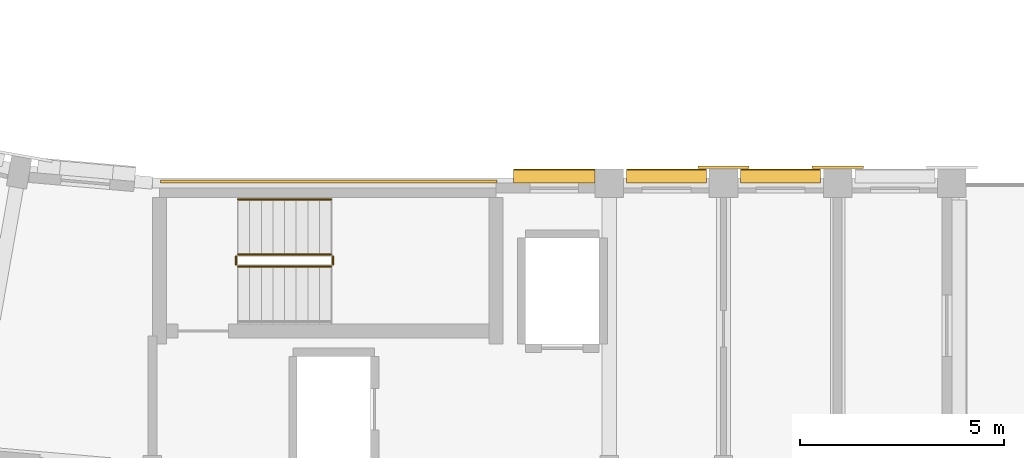
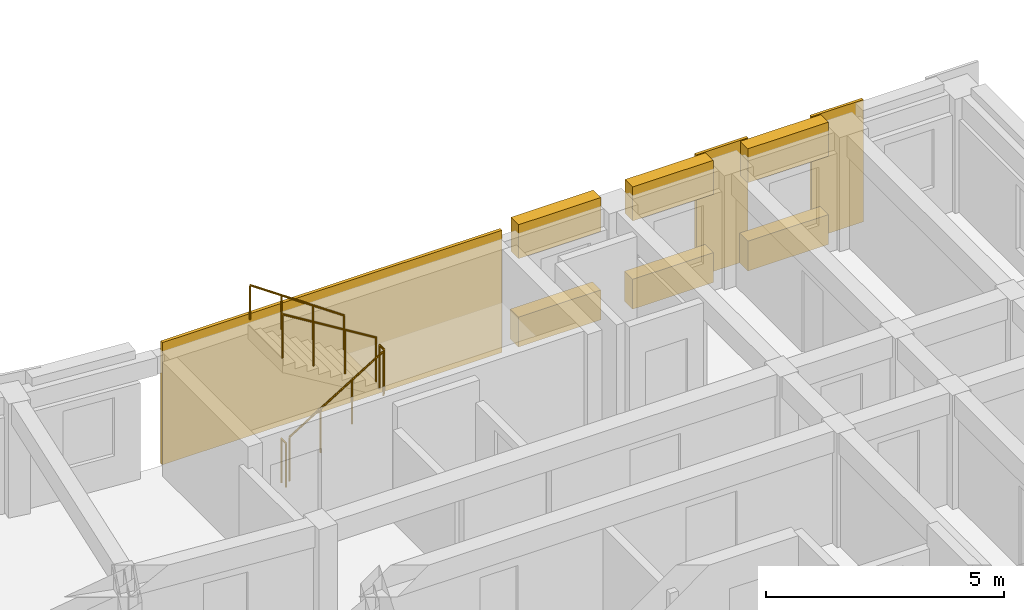
# One storey, part 41 of 54: 9 coverings, 5 railings.
"""IFC4 building model written with IfcOpenShell, lengths in metres."""

import ifcopenshell
import ifcopenshell.guid

model = None  # the IFC model being written
_history = None  # IfcOwnerHistory: only IFC2X3 demands one
_inside = {}  # id of a spatial element -> (the spatial element, [elements in it])
_under = {}  # id of a project, library or spatial element -> (it, [spatial elements below it])
_declared = {}  # id of a project -> (the project, [libraries it declares])
_typed = {}  # id of a type object -> (the type object, [elements of that type])
_made_of = {}  # id of a material, layer set ... -> (it, [elements and type objects made of it])


def new_model(schema):
    """Start an empty IFC model of exactly this schema.

    Asked for "IFC4X3", IfcOpenShell would pick the latest addendum, in which some entities
    have other attributes; the version numbers below select the first issue.
    IFC2X3 requires an IfcOwnerHistory on every rooted entity: one is made here for all.
    """
    global model, _history
    if schema == "IFC4X3":
        model = ifcopenshell.file(schema_version=(4, 3, 0, 0))
    else:
        model = ifcopenshell.file(schema=schema)
    _inside.clear()
    _under.clear()
    _declared.clear()
    _typed.clear()
    _made_of.clear()
    _history = None
    if model.schema == "IFC2X3":
        org = make("IfcOrganization", Name="unknown")
        user = make(
            "IfcPersonAndOrganization",
            ThePerson=make("IfcPerson", FamilyName="unknown"),
            TheOrganization=org,
        )
        app = make(
            "IfcApplication",
            ApplicationDeveloper=org,
            Version="unknown",
            ApplicationFullName="unknown",
            ApplicationIdentifier="unknown",
        )
        _history = make(
            "IfcOwnerHistory",
            OwningUser=user,
            OwningApplication=app,
            ChangeAction="ADDED",
            CreationDate=0,
        )
    return model


def make(cls, **values):
    """One entity of the class cls with the attributes given. An attribute that is None is left unset."""
    return model.create_entity(
        cls, **{name: value for name, value in values.items() if value is not None}
    )


def rooted(cls, **values):
    """An entity with a GlobalId (a new one), such as an element, a storey or a relation."""
    return make(cls, GlobalId=ifcopenshell.guid.new(), OwnerHistory=_history, **values)


def si_unit(unit_type, name, prefix=None):
    """IfcSIUnit, for example si_unit("LENGTHUNIT", "METRE", prefix="MILLI")."""
    return make("IfcSIUnit", UnitType=unit_type, Prefix=prefix, Name=name)


def assignment(units):
    """IfcUnitAssignment: the units of a project."""
    return None if units is None else make("IfcUnitAssignment", Units=units)


def point(xyz):
    """IfcCartesianPoint."""
    return None if xyz is None else make("IfcCartesianPoint", Coordinates=xyz)


def direction(xyz):
    """IfcDirection."""
    return None if xyz is None else make("IfcDirection", DirectionRatios=xyz)


def frame(location, z_axis=None, x_axis=None):
    """IfcAxis2Placement3D, a coordinate frame: its origin and axes. An axis left out is left unset."""
    return make(
        "IfcAxis2Placement3D",
        Location=point(location),
        Axis=direction(z_axis),
        RefDirection=direction(x_axis),
    )


def frame_2d(location, x_axis=None):
    """IfcAxis2Placement2D, a coordinate frame in the plane: its origin and x axis."""
    return make(
        "IfcAxis2Placement2D", Location=point(location), RefDirection=direction(x_axis)
    )


def origin():
    """The frame at (0, 0, 0) with its axes left unset."""
    return frame((0.0, 0.0, 0.0))


def origin_2d():
    """The frame at (0, 0) in the plane with its x axis left unset."""
    return frame_2d((0.0, 0.0))


def place(relative_to, where):
    """IfcLocalPlacement: puts the frame where relative to a parent placement (None: the world)."""
    return make(
        "IfcLocalPlacement", PlacementRelTo=relative_to, RelativePlacement=where
    )


def context(
    kind, dimensions, precision=None, world=None, true_north=None, identifier=None
):
    """IfcGeometricRepresentationContext, for example the 3D "Model" context."""
    return make(
        "IfcGeometricRepresentationContext",
        ContextIdentifier=identifier,
        ContextType=kind,
        CoordinateSpaceDimension=dimensions,
        Precision=precision,
        WorldCoordinateSystem=world,
        TrueNorth=true_north,
    )


def subcontext(parent, identifier, kind, view, scale=None):
    """IfcGeometricRepresentationSubContext, for example "Body" below "Model"."""
    return make(
        "IfcGeometricRepresentationSubContext",
        ContextIdentifier=identifier,
        ContextType=kind,
        ParentContext=parent,
        TargetScale=scale,
        TargetView=view,
    )


def project(units=None, contexts=None):
    """IfcProject with its units and contexts."""
    return rooted(
        "IfcProject",
        Name="project",
        RepresentationContexts=contexts,
        UnitsInContext=assignment(units),
    )


def spatial(cls, under=None, at=None, **own):
    """A site, building, storey or space (cls), placed at a placement, below another one or the project."""
    s = rooted(cls, ObjectPlacement=at, **own)
    if under is not None:
        _under.setdefault(under.id(), (under, []))[1].append(s)
    return s


def polyline(points):
    """IfcPolyline through the points."""
    return make("IfcPolyline", Points=[point(p) for p in points])


def profile(cls, at=None, kind="AREA", **sizes):
    """A parametric profile (cls). Its sizes go by their IFC names, for example OverallWidth=200.0."""
    return make(cls, ProfileType=kind, Position=at, **sizes)


def circle(**sizes):
    """IfcCircleProfileDef."""
    return profile("IfcCircleProfileDef", **sizes)


def outline(outer, holes=None, kind="AREA"):
    """IfcArbitraryClosedProfileDef: a profile drawn as a closed curve; with holes, ...WithVoids."""
    if holes is None:
        return make("IfcArbitraryClosedProfileDef", ProfileType=kind, OuterCurve=outer)
    return make(
        "IfcArbitraryProfileDefWithVoids",
        ProfileType=kind,
        OuterCurve=outer,
        InnerCurves=holes,
    )


def extrude(swept, where, along, depth):
    """IfcExtrudedAreaSolid: the profile swept, set in the frame where, extruded along a direction by depth."""
    return make(
        "IfcExtrudedAreaSolid",
        SweptArea=swept,
        Position=where,
        ExtrudedDirection=direction(along),
        Depth=depth,
    )


def shape(context_of_items, identifier, shape_type, items):
    """IfcShapeRepresentation: the items that make up one representation, for example the "Body"."""
    return make(
        "IfcShapeRepresentation",
        ContextOfItems=context_of_items,
        RepresentationIdentifier=identifier,
        RepresentationType=shape_type,
        Items=items,
    )


def material(Name=None, Category=None):
    """IfcMaterial."""
    return make("IfcMaterial", Name=Name, Category=Category)


def layer(
    of_material, thickness, ventilated=None, Name=None, Category=None, Priority=None
):
    """IfcMaterialLayer: one layer of a wall or slab, of a material (None: an air gap)."""
    return make(
        "IfcMaterialLayer",
        Material=of_material,
        LayerThickness=thickness,
        IsVentilated=ventilated,
        Name=Name,
        Category=Category,
        Priority=Priority,
    )


def layer_set(layers, Name=None):
    """IfcMaterialLayerSet."""
    return make("IfcMaterialLayerSet", MaterialLayers=layers, LayerSetName=Name)


def made_of(thing, what):
    """Note that an element or type object is made of a material, layer set ...; save() writes the relation."""
    if what is not None:
        _made_of.setdefault(what.id(), (what, []))[1].append(thing)
    return thing


def type_object(cls, material=None, **own):
    """A type object (cls), such as IfcWallType, which elements share."""
    return made_of(rooted(cls, **own), material)


def element(
    cls,
    number,
    at=None,
    inside=None,
    cuts=None,
    type_object=None,
    material=None,
    context=None,
    identifier="Body",
    shape_type=None,
    held_by="IfcProductDefinitionShape",
    body=None,
    shapes=None,
    **own,
):
    """One element of the class cls, such as IfcWall. Its Tag is "e" and its number.

    at: its placement. inside: the storey or other place that contains it. cuts: it is an
    opening in that element (IfcRelVoidsElement). A single representation is given by context,
    identifier, shape_type and body (its items); several are given by shapes. held_by: the class
    of the entity that holds the representations. save() writes the other relations.
    """
    e = rooted(cls, Tag="e%d" % number, ObjectPlacement=at, **own)
    if body is not None:
        shapes = [shape(context, identifier, shape_type, body)]
    if shapes is not None:
        e.Representation = make(held_by, Representations=shapes)
    if inside is not None:
        _inside.setdefault(inside.id(), (inside, []))[1].append(e)
    if cuts is not None:
        rooted(
            "IfcRelVoidsElement", RelatingBuildingElement=cuts, RelatedOpeningElement=e
        )
    if type_object is not None:
        _typed.setdefault(type_object.id(), (type_object, []))[1].append(e)
    return made_of(e, material)


def aggregate(whole, parts):
    """IfcRelAggregates: a whole, such as a stair, and the parts it consists of."""
    return rooted("IfcRelAggregates", RelatingObject=whole, RelatedObjects=parts)


def save(model, path):
    """Write the relations noted so far, then the file.

    IfcRelAggregates (storeys below a building ...), IfcRelContainedInSpatialStructure (elements
    in a storey), IfcRelDefinesByType, IfcRelAssociatesMaterial and IfcRelDeclares: one each for
    every whole, place, type object, material and project.
    """
    for whole, parts in _under.values():
        aggregate(whole, parts)
    for where, things in _inside.values():
        rooted(
            "IfcRelContainedInSpatialStructure",
            RelatedElements=things,
            RelatingStructure=where,
        )
    for kind, things in _typed.values():
        rooted("IfcRelDefinesByType", RelatedObjects=things, RelatingType=kind)
    for what, things in _made_of.values():
        rooted("IfcRelAssociatesMaterial", RelatedObjects=things, RelatingMaterial=what)
    for by, libraries in _declared.values():
        rooted("IfcRelDeclares", RelatingContext=by, RelatedDefinitions=libraries)
    model.write(path)


model = new_model("IFC4")

# Units and contexts
model_context = context("Model", 3, precision=1e-05, world=origin(), true_north=direction((0.0, 1.0)))
body_context = subcontext(model_context, "Body", "Model", "MODEL_VIEW")
ifc_project = project(units=[si_unit("LENGTHUNIT", "METRE"), si_unit("AREAUNIT", "SQUARE_METRE"), si_unit("VOLUMEUNIT", "CUBIC_METRE"), si_unit("PLANEANGLEUNIT", "RADIAN"), si_unit("MASSUNIT", "GRAM", prefix="KILO")], contexts=[model_context])

# Site, building, storey
site_placement = place(None, origin())
site = spatial("IfcSite", under=ifc_project, at=site_placement, CompositionType="ELEMENT")
building_placement = place(site_placement, origin())
building = spatial("IfcBuilding", under=site, at=building_placement, Name="Kiranvali Square Residences", CompositionType="ELEMENT")
storey_placement = place(building_placement, frame((0.0, 0.0, 27.60009765625)))
storey = spatial("IfcBuildingStorey", under=building, at=storey_placement, Name="L08", CompositionType="ELEMENT", Elevation=27.60009765625)

# Coverings
ifc_material_1 = material(Name="Honed Porbandar limestone ashlar facade cladding", Category="masonry")
ifc_layer_1 = layer(ifc_material_1, 0.06494140625)
ifc_layer_set_1 = layer_set([ifc_layer_1], Name="Honed Porbandar limestone ashlar facade cladding")
covering_type_1 = type_object("IfcCoveringType", Name="COV-CLAD-PIER", PredefinedType="CLADDING", material=ifc_layer_set_1)
covering_1_placement = place(storey_placement, frame((0.0, 0.0, 0.0048828125)))
element("IfcCovering", 1, at=covering_1_placement, inside=storey, type_object=covering_type_1, Name="Block C L08 garden stair limestone ashlar cladding", PredefinedType="CLADDING", context=body_context, shape_type="SweptSolid", body=[
    extrude(outline(polyline([(48.39990234375, 29.402099609375), (56.64990234375, 29.402099609375), (56.64990234375, 29.47998046875), (48.39990234375, 29.47998046875), (48.39990234375, 29.402099609375)])), origin(), (0.0, 0.0, 1.0), 3.14013671875),
])
ifc_layer_2 = layer(ifc_material_1, 0.050048828125)
ifc_layer_set_2 = layer_set([ifc_layer_2], Name="Honed Porbandar limestone ashlar facade cladding")
covering_type_2 = type_object("IfcCoveringType", Name="COV-CLAD-PIER-IN", PredefinedType="CLADDING", material=ifc_layer_set_2)
covering_2_placement = place(storey_placement, frame((0.0, 0.0, 0.0048828125)))
element("IfcCovering", 2, at=covering_2_placement, inside=storey, type_object=covering_type_2, Name="L08 Classical limestone pilaster casing CLAD-PRA1I-C-L08-U140", PredefinedType="CLADDING", context=body_context, shape_type="SweptSolid", body=[
    extrude(outline(polyline([(61.570068359375, 29.75048828125), (62.830078125, 29.75048828125), (62.830078125, 29.818115234375), (61.570068359375, 29.818115234375), (61.570068359375, 29.75048828125)])), origin(), (0.0, 0.0, 1.0), 3.14013671875),
])
covering_3_placement = place(storey_placement, frame((0.0, 0.0, 0.0048828125)))
element("IfcCovering", 3, at=covering_3_placement, inside=storey, type_object=covering_type_2, Name="L08 Classical limestone pilaster casing CLAD-PRA1I-C-L08-U167", PredefinedType="CLADDING", context=body_context, shape_type="SweptSolid", body=[
    extrude(outline(polyline([(64.3701171875, 29.75048828125), (65.6298828125, 29.75048828125), (65.6298828125, 29.818115234375), (64.3701171875, 29.818115234375), (64.3701171875, 29.75048828125)])), origin(), (0.0, 0.0, 1.0), 3.14013671875),
])
ifc_layer_3 = layer(ifc_material_1, 0.360107421875)
ifc_layer_set_3 = layer_set([ifc_layer_3], Name="Honed Porbandar limestone ashlar facade cladding")
covering_type_3 = type_object("IfcCoveringType", Name="COV-CLAD-WALL", PredefinedType="CLADDING", material=ifc_layer_set_3)
covering_4_placement = place(storey_placement, frame((0.0, 0.0, 2.27197265625)))
element("IfcCovering", 4, at=covering_4_placement, inside=storey, type_object=covering_type_3, Name="L08 light limestone spandrel lintel C-L08-A1IN-0", PredefinedType="CLADDING", context=body_context, shape_type="SweptSolid", body=[
    extrude(outline(polyline([(57.050048828125, 29.400390625), (59.050048828125, 29.400390625), (59.050048828125, 29.719970703125), (57.050048828125, 29.719970703125), (57.050048828125, 29.400390625)])), origin(), (0.0, 0.0, 1.0), 0.873046875),
])
covering_5_placement = place(storey_placement, frame((0.0, 0.0, 0.0048828125)))
element("IfcCovering", 5, at=covering_5_placement, inside=storey, type_object=covering_type_3, Name="L08 limestone window sill apron C-L08-A1IN-0", PredefinedType="CLADDING", context=body_context, shape_type="SweptSolid", body=[
    extrude(outline(polyline([(57.050048828125, 29.400390625), (59.050048828125, 29.400390625), (59.050048828125, 29.75), (57.050048828125, 29.75), (57.050048828125, 29.400390625)])), origin(), (0.0, 0.0, 1.0), 0.76708984375),
])
covering_6_placement = place(storey_placement, frame((0.0, 0.0, 2.27197265625)))
element("IfcCovering", 6, at=covering_6_placement, inside=storey, type_object=covering_type_3, Name="L08 light limestone spandrel lintel C-L08-A1I-0", PredefinedType="CLADDING", context=body_context, shape_type="SweptSolid", body=[
    extrude(outline(polyline([(59.820068359375, 29.400390625), (61.780029296875, 29.400390625), (61.780029296875, 29.719970703125), (59.820068359375, 29.719970703125), (59.820068359375, 29.400390625)])), origin(), (0.0, 0.0, 1.0), 0.873046875),
])
covering_7_placement = place(storey_placement, frame((0.0, 0.0, 0.0048828125)))
element("IfcCovering", 7, at=covering_7_placement, inside=storey, type_object=covering_type_3, Name="L08 limestone window sill apron C-L08-A1I-0", PredefinedType="CLADDING", context=body_context, shape_type="SweptSolid", body=[
    extrude(outline(polyline([(59.820068359375, 29.400390625), (61.780029296875, 29.400390625), (61.780029296875, 29.75), (59.820068359375, 29.75), (59.820068359375, 29.400390625)])), origin(), (0.0, 0.0, 1.0), 0.76708984375),
])
covering_8_placement = place(storey_placement, frame((0.0, 0.0, 2.27197265625)))
element("IfcCovering", 8, at=covering_8_placement, inside=storey, type_object=covering_type_3, Name="L08 light limestone spandrel lintel C-L08-A1I-1", PredefinedType="CLADDING", context=body_context, shape_type="SweptSolid", body=[
    extrude(outline(polyline([(62.6201171875, 29.400390625), (64.580078125, 29.400390625), (64.580078125, 29.719970703125), (62.6201171875, 29.719970703125), (62.6201171875, 29.400390625)])), origin(), (0.0, 0.0, 1.0), 0.873046875),
])
covering_9_placement = place(storey_placement, frame((0.0, 0.0, 0.0048828125)))
element("IfcCovering", 9, at=covering_9_placement, inside=storey, type_object=covering_type_3, Name="L08 limestone window sill apron C-L08-A1I-1", PredefinedType="CLADDING", context=body_context, shape_type="SweptSolid", body=[
    extrude(outline(polyline([(62.6201171875, 29.400390625), (64.580078125, 29.400390625), (64.580078125, 29.75), (62.6201171875, 29.75), (62.6201171875, 29.400390625)])), origin(), (0.0, 0.0, 1.0), 0.76708984375),
])

# Railings
ifc_material_2 = material(Name="Brushed stainless steel tubular handrail", Category="steel")
railing_type_1 = type_object("IfcRailingType", Name="RL-HANDRAIL-900", PredefinedType="HANDRAIL", material=ifc_material_2)
railing_1_placement = place(storey_placement, frame((52.580078125, 29.0, 1.75)))
element("IfcRailing", 10, at=railing_1_placement, inside=storey, type_object=railing_type_1, Name="L08 ST-C2 stair handrail 2", PredefinedType="HANDRAIL", context=body_context, shape_type="SweptSolid", body=[
    extrude(circle(Radius=0.02392578125, at=origin_2d()), frame((0.0, 0.0, 0.8759765625), z_axis=(-0.82278801735, 0.0, 0.568348377763), x_axis=(0.0, -1.0, 0.0)), (0.0, 0.0, 1.0), 2.77099609375),
    extrude(circle(Radius=0.02099609375, at=origin_2d()), origin(), (0.0, 0.0, 1.0), 0.851806640625),
    extrude(circle(Radius=0.02099609375, at=origin_2d()), frame((-0.760009765625, 0.0, 0.52490234375)), (0.0, 0.0, 1.0), 0.851806640625),
    extrude(circle(Radius=0.02099609375, at=origin_2d()), frame((-1.52001953125, 0.0, 1.050048828125)), (0.0, 0.0, 1.0), 0.851806640625),
    extrude(circle(Radius=0.02099609375, at=origin_2d()), frame((-2.280029296875, 0.0, 1.574951171875)), (0.0, 0.0, 1.0), 0.851806640625),
])
ifc_material_3 = material(Name="Powder-coated architectural bronze balustrade", Category="steel")
railing_type_2 = type_object("IfcRailingType", Name="RL-ST-GUARD-1200", PredefinedType="GUARDRAIL", material=ifc_material_3)
railing_2_placement = place(storey_placement, frame((50.300048828125, 27.35009765625, 0.1748046875)))
element("IfcRailing", 11, at=railing_2_placement, inside=storey, type_object=railing_type_2, Name="L08 ST-C2 stair guard 1", PredefinedType="GUARDRAIL", context=body_context, shape_type="SweptSolid", body=[
    extrude(circle(Radius=0.02392578125, at=origin_2d()), frame((0.0, 0.0, 1.1259765625), z_axis=(0.852149810458, 0.0, 0.523297908018), x_axis=(0.0, 1.0, 0.0)), (0.0, 0.0, 1.0), 2.675537109375),
    extrude(circle(Radius=0.02099609375, at=origin_2d()), origin(), (0.0, 0.0, 1.0), 1.101806640625),
    extrude(circle(Radius=0.02099609375, at=origin_2d()), frame((0.760009765625, 0.0, 0.466796875)), (0.0, 0.0, 1.0), 1.101806640625),
    extrude(circle(Radius=0.02099609375, at=origin_2d()), frame((1.52001953125, 0.0, 0.933349609375)), (0.0, 0.0, 1.0), 1.101806640625),
    extrude(circle(Radius=0.02099609375, at=origin_2d()), frame((2.280029296875, 0.0, 1.400146484375)), (0.0, 0.0, 1.0), 1.101806640625),
])
railing_3_placement = place(storey_placement, frame((52.6298828125, 27.39990234375, 1.574951171875)))
element("IfcRailing", 12, at=railing_3_placement, inside=storey, type_object=railing_type_2, Name="L08 ST-C2 stair guard 2", PredefinedType="GUARDRAIL", context=body_context, shape_type="SweptSolid", body=[
    extrude(circle(Radius=0.02392578125, at=origin_2d()), frame((0.0, 0.0, 1.1259765625), z_axis=(0.0, 1.0, 0.0), x_axis=(-1.0, 0.0, 0.0)), (0.0, 0.0, 1.0), 0.2001953125),
    extrude(circle(Radius=0.02099609375, at=origin_2d()), origin(), (0.0, 0.0, 1.0), 1.101806640625),
    extrude(circle(Radius=0.02099609375, at=origin_2d()), frame((0.0, 0.2001953125, 0.0)), (0.0, 0.0, 1.0), 1.101806640625),
])
railing_4_placement = place(storey_placement, frame((52.580078125, 27.64990234375, 1.75)))
element("IfcRailing", 13, at=railing_4_placement, inside=storey, type_object=railing_type_2, Name="L08 ST-C2 stair guard 3", PredefinedType="GUARDRAIL", context=body_context, shape_type="SweptSolid", body=[
    extrude(circle(Radius=0.02392578125, at=origin_2d()), frame((0.0, 0.0, 1.1259765625), z_axis=(-0.852190499154, 0.0, 0.523231643875), x_axis=(0.0, -1.0, 0.0)), (0.0, 0.0, 1.0), 2.675537109375),
    extrude(circle(Radius=0.02099609375, at=origin_2d()), origin(), (0.0, 0.0, 1.0), 1.101806640625),
    extrude(circle(Radius=0.02099609375, at=origin_2d()), frame((-0.760009765625, 0.0, 0.466552734375)), (0.0, 0.0, 1.0), 1.101806640625),
    extrude(circle(Radius=0.02099609375, at=origin_2d()), frame((-1.52001953125, 0.0, 0.933349609375)), (0.0, 0.0, 1.0), 1.101806640625),
    extrude(circle(Radius=0.02099609375, at=origin_2d()), frame((-2.280029296875, 0.0, 1.39990234375)), (0.0, 0.0, 1.0), 1.101806640625),
])
railing_5_placement = place(storey_placement, frame((50.25, 27.39990234375, 0.0)))
element("IfcRailing", 14, at=railing_5_placement, inside=storey, type_object=railing_type_2, Name="L08 ST-C2 stair guard 4", PredefinedType="GUARDRAIL", context=body_context, shape_type="SweptSolid", body=[
    extrude(circle(Radius=0.02392578125, at=origin_2d()), frame((0.0, 0.0, 1.1259765625), z_axis=(0.0, 1.0, 0.0), x_axis=(-1.0, 0.0, 0.0)), (0.0, 0.0, 1.0), 0.2001953125),
    extrude(circle(Radius=0.02099609375, at=origin_2d()), origin(), (0.0, 0.0, 1.0), 1.101806640625),
    extrude(circle(Radius=0.02099609375, at=origin_2d()), frame((0.0, 0.2001953125, 0.0)), (0.0, 0.0, 1.0), 1.101806640625),
])

save(model, "model.ifc")
